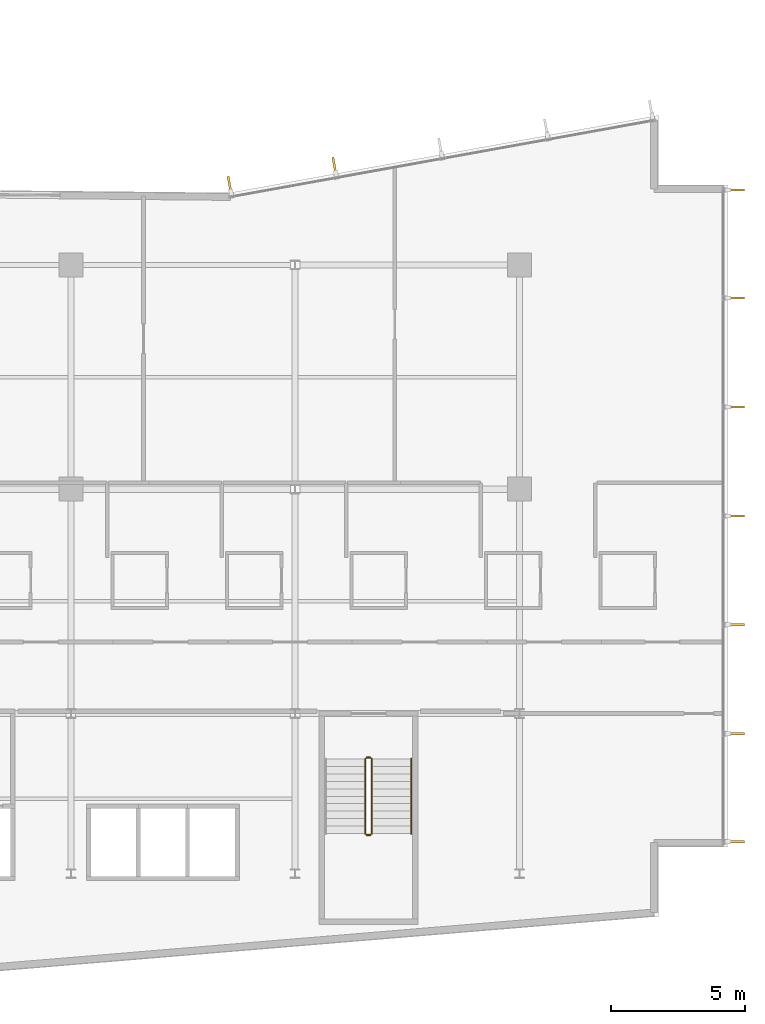
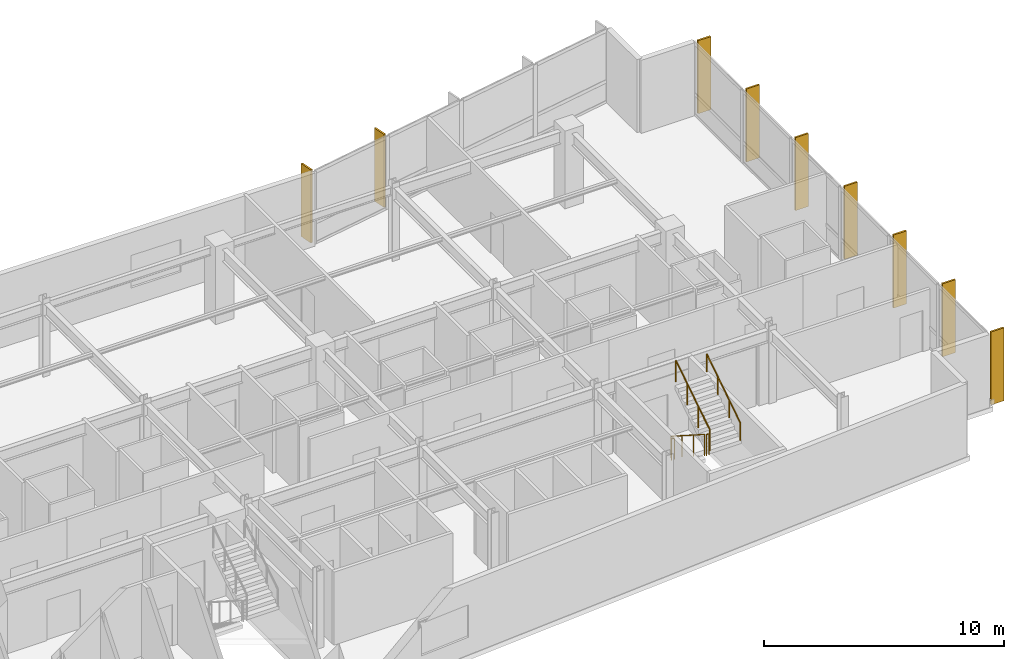
# One storey, part 19 of 21: 9 shading devices, 5 railings.
"""IFC4 building model written with IfcOpenShell, lengths in metres."""

from ifc_helpers import new_model, si_unit, direction, frame, origin, origin_2d, place, context, subcontext, project, spatial, rectangle, circle, extrude, material, layer, layer_set, type_object, element, save


model = new_model("IFC4")

# Units and contexts
model_context = context("Model", 3, precision=1e-05, world=origin(), true_north=direction((0.0, 1.0)))
body_context = subcontext(model_context, "Body", "Model", "MODEL_VIEW")
ifc_project = project(units=[si_unit("LENGTHUNIT", "METRE"), si_unit("AREAUNIT", "SQUARE_METRE"), si_unit("VOLUMEUNIT", "CUBIC_METRE"), si_unit("PLANEANGLEUNIT", "RADIAN"), si_unit("MASSUNIT", "GRAM", prefix="KILO")], contexts=[model_context])

# Site, building, storey
site_placement = place(None, origin())
site = spatial("IfcSite", under=ifc_project, at=site_placement, CompositionType="ELEMENT")
building_placement = place(site_placement, origin())
building = spatial("IfcBuilding", under=site, at=building_placement, Name="Varnakote Quay Hospital", CompositionType="ELEMENT")
storey_placement = place(building_placement, frame((0.0, 0.0, 34.35009765625)))
storey = spatial("IfcBuildingStorey", under=building, at=storey_placement, Name="L08", CompositionType="ELEMENT", Elevation=34.35009765625)

# Railings
ifc_material_1 = material(Name="Brushed stainless steel balustrade", Category="steel")
railing_type_1 = type_object("IfcRailingType", Name="RLG-STAIR-GUARD-1150", PredefinedType="GUARDRAIL", material=ifc_material_1)
railing_1_placement = place(storey_placement, frame((44.6298828125, 10.300048828125, 0.179443359375)))
element("IfcRailing", 1, at=railing_1_placement, inside=storey, type_object=railing_type_1, Name="L08 ST-03 stair guard 1", PredefinedType="GUARDRAIL", context=body_context, shape_type="SweptSolid", body=[
    extrude(circle(Radius=0.02392578125, at=origin_2d()), frame((0.0, 0.0, 1.076171875), z_axis=(0.0, -0.841809871826, 0.539774156196), x_axis=(1.0, 0.0, 0.0)), (0.0, 0.0, 1.0), 3.326171875),
    extrude(circle(Radius=0.02099609375, at=origin_2d()), origin(), (0.0, 0.0, 1.0), 1.052001953125),
    extrude(circle(Radius=0.02099609375, at=origin_2d()), frame((0.0, -0.933349609375, 0.598388671875)), (0.0, 0.0, 1.0), 1.052001953125),
    extrude(circle(Radius=0.02099609375, at=origin_2d()), frame((0.0, -1.86669921875, 1.197021484375)), (0.0, 0.0, 1.0), 1.052001953125),
    extrude(circle(Radius=0.02099609375, at=origin_2d()), frame((0.0, -2.800048828125, 1.79541015625)), (0.0, 0.0, 1.0), 1.052001953125),
])
railing_2_placement = place(storey_placement, frame((44.679931640625, 7.449951171875, 1.974853515625)))
element("IfcRailing", 2, at=railing_2_placement, inside=storey, type_object=railing_type_1, Name="L08 ST-03 stair guard 2", PredefinedType="GUARDRAIL", context=body_context, shape_type="SweptSolid", body=[
    extrude(circle(Radius=0.02392578125, at=origin_2d()), frame((0.0, 0.0, 1.076171875), z_axis=(1.0, 0.0, 0.0), x_axis=(0.0, 1.0, 0.0)), (0.0, 0.0, 1.0), 0.14013671875),
    extrude(circle(Radius=0.02099609375, at=origin_2d()), origin(), (0.0, 0.0, 1.0), 1.052001953125),
    extrude(circle(Radius=0.02099609375, at=origin_2d()), frame((0.14013671875, 0.0, 0.0)), (0.0, 0.0, 1.0), 1.052001953125),
])
railing_3_placement = place(storey_placement, frame((44.8701171875, 7.5, 2.154541015625)))
element("IfcRailing", 3, at=railing_3_placement, inside=storey, type_object=railing_type_1, Name="L08 ST-03 stair guard 3", PredefinedType="GUARDRAIL", context=body_context, shape_type="SweptSolid", body=[
    extrude(circle(Radius=0.02392578125, at=origin_2d()), frame((0.0, 0.0, 1.076171875), z_axis=(0.0, 0.841809871826, 0.539774156196), x_axis=(-1.0, 0.0, 0.0)), (0.0, 0.0, 1.0), 3.326171875),
    extrude(circle(Radius=0.02099609375, at=origin_2d()), origin(), (0.0, 0.0, 1.0), 1.052001953125),
    extrude(circle(Radius=0.02099609375, at=origin_2d()), frame((0.0, 0.933349609375, 0.598388671875)), (0.0, 0.0, 1.0), 1.052001953125),
    extrude(circle(Radius=0.02099609375, at=origin_2d()), frame((0.0, 1.86669921875, 1.197021484375)), (0.0, 0.0, 1.0), 1.052001953125),
    extrude(circle(Radius=0.02099609375, at=origin_2d()), frame((0.0, 2.800048828125, 1.79541015625)), (0.0, 0.0, 1.0), 1.052001953125),
])
railing_4_placement = place(storey_placement, frame((44.679931640625, 10.35009765625, 0.0)))
element("IfcRailing", 4, at=railing_4_placement, inside=storey, type_object=railing_type_1, Name="L08 ST-03 stair guard 4", PredefinedType="GUARDRAIL", context=body_context, shape_type="SweptSolid", body=[
    extrude(circle(Radius=0.02392578125, at=origin_2d()), frame((0.0, 0.0, 1.076171875), z_axis=(1.0, 0.0, 0.0), x_axis=(0.0, 1.0, 0.0)), (0.0, 0.0, 1.0), 0.14013671875),
    extrude(circle(Radius=0.02099609375, at=origin_2d()), origin(), (0.0, 0.0, 1.0), 1.052001953125),
    extrude(circle(Radius=0.02099609375, at=origin_2d()), frame((0.14013671875, 0.0, 0.0)), (0.0, 0.0, 1.0), 1.052001953125),
])
ifc_material_2 = material(Name="Brushed stainless steel handrail", Category="steel")
railing_type_2 = type_object("IfcRailingType", Name="RLG-STAIR-HND-920", PredefinedType="HANDRAIL", material=ifc_material_2)
railing_5_placement = place(storey_placement, frame((46.35009765625, 7.5, 2.154541015625)))
element("IfcRailing", 5, at=railing_5_placement, inside=storey, type_object=railing_type_2, Name="L08 ST-03 stair handrail 2", PredefinedType="HANDRAIL", context=body_context, shape_type="SweptSolid", body=[
    extrude(circle(Radius=0.02392578125, at=origin_2d()), frame((0.0, 0.0, 0.8759765625), z_axis=(0.0, 0.841809871826, 0.539774156196), x_axis=(-1.0, 0.0, 0.0)), (0.0, 0.0, 1.0), 3.326171875),
    extrude(circle(Radius=0.02099609375, at=origin_2d()), origin(), (0.0, 0.0, 1.0), 0.851806640625),
    extrude(circle(Radius=0.02099609375, at=origin_2d()), frame((0.0, 0.933349609375, 0.598388671875)), (0.0, 0.0, 1.0), 0.851806640625),
    extrude(circle(Radius=0.02099609375, at=origin_2d()), frame((0.0, 1.86669921875, 1.197021484375)), (0.0, 0.0, 1.0), 0.851806640625),
    extrude(circle(Radius=0.02099609375, at=origin_2d()), frame((0.0, 2.800048828125, 1.79541015625)), (0.0, 0.0, 1.0), 0.851806640625),
])

# Shading devices
ifc_material_3 = material(Name="Anodised aluminium 6063-T6 Bronze", Category="aluminium")
ifc_layer = layer(ifc_material_3, 0.0849609375)
ifc_layer_set = layer_set([ifc_layer], Name="Anodised aluminium 6063-T6 Bronze")
shading_device_type = type_object("IfcShadingDeviceType", Name="SHD-BRONZE-FIN-620", PredefinedType="USERDEFINED", material=ifc_layer_set)
for number, where, z_axis, x_axis, name in (
    (6, (58.510009765625, 7.197509765625, 0.0), (0.0, 0.0, 1.0), (-1.0, 0.0, 0.0), "L08 Anodised Bronze Vertical Shading FIN"),
    (7, (58.510009765625, 11.239990234375, 0.0), (0.0, 0.0, 1.0), (-1.0, 0.0, 0.0), "L08 Anodised Bronze Vertical Shading FIN"),
    (8, (58.510009765625, 15.320068359375, 0.0), (0.0, 0.0, 1.0), (-1.0, 0.0, 0.0), "L08 Anodised Bronze Vertical Shading FIN"),
    (9, (58.510009765625, 19.39990234375, 0.0), (0.0, 0.0, 1.0), (-1.0, 0.0, 0.0), "L08 Anodised Bronze Vertical Shading FIN"),
    (10, (58.510009765625, 23.47998046875, 0.0), (0.0, 0.0, 1.0), (-1.0, 0.0, 0.0), "L08 Anodised Bronze Vertical Shading FIN"),
    (11, (58.510009765625, 27.56005859375, 0.0), (0.0, 0.0, 1.0), (-1.0, 0.0, 0.0), "L08 Anodised Bronze Vertical Shading FIN"),
    (12, (58.510009765625, 31.6025390625, 0.0), (0.0, 0.0, 1.0), (-1.0, 0.0, 0.0), "L08 Anodised Bronze Vertical Shading FIN"),
    (13, (43.468505859375, 32.522705078125, 0.0), (0.0, 0.0, 1.0), (0.177771795263, -0.984071739666, 0.0), "L08 Anodised Bronze Vertical Shading FIN"),
    (14, (39.54296875, 31.81298828125, 0.0), (0.0, 0.0, 1.0), (0.177771795263, -0.984071739666, 0.0), "L08 Anodised Bronze Vertical Shading FIN"),
):
    element("IfcShadingDevice", number, at=place(storey_placement, frame(where, z_axis=z_axis, x_axis=x_axis)), inside=storey, type_object=shading_device_type, Name=name, ObjectType="FIN", PredefinedType="USERDEFINED", context=body_context, shape_type="SweptSolid", body=[
        extrude(rectangle(XDim=0.6201171875, YDim=0.0849609375, at=origin_2d()), origin(), (0.0, 0.0, 1.0), 3.7099609375),
    ])

save(model, "model.ifc")
